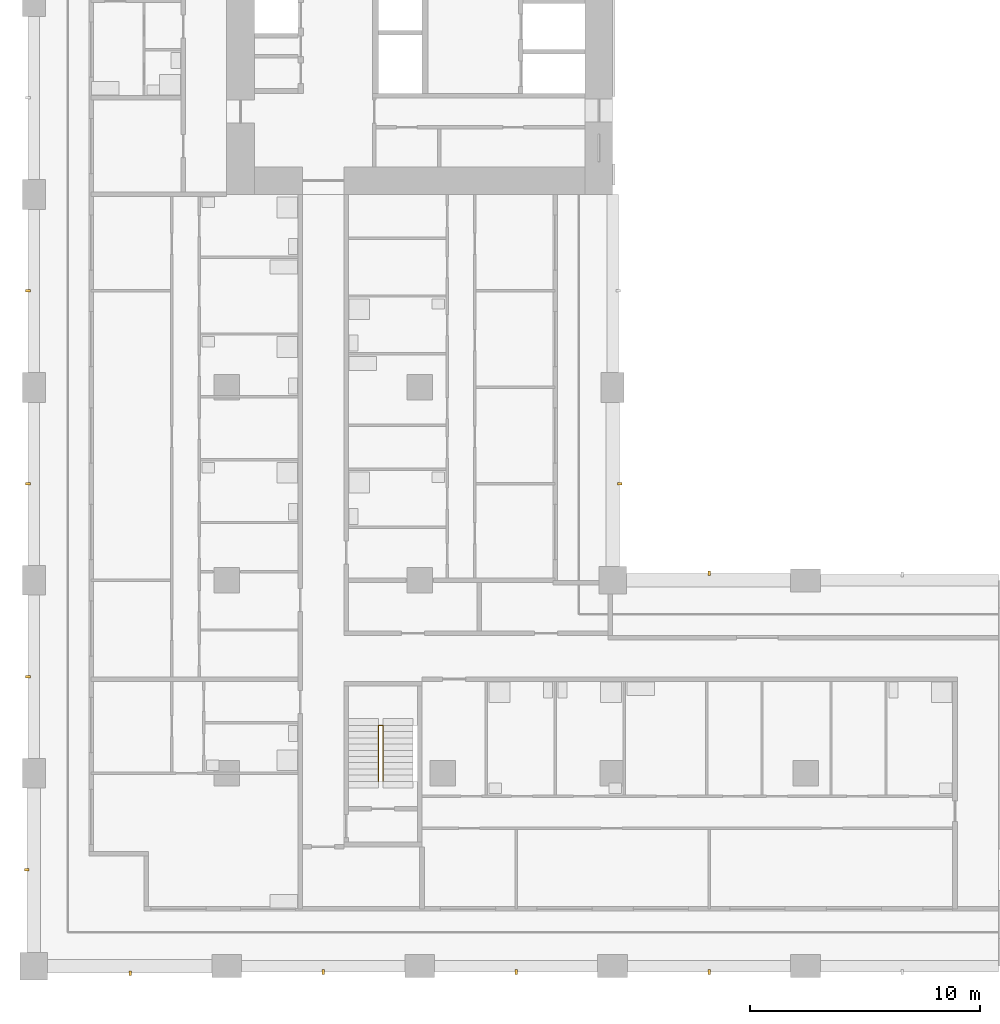
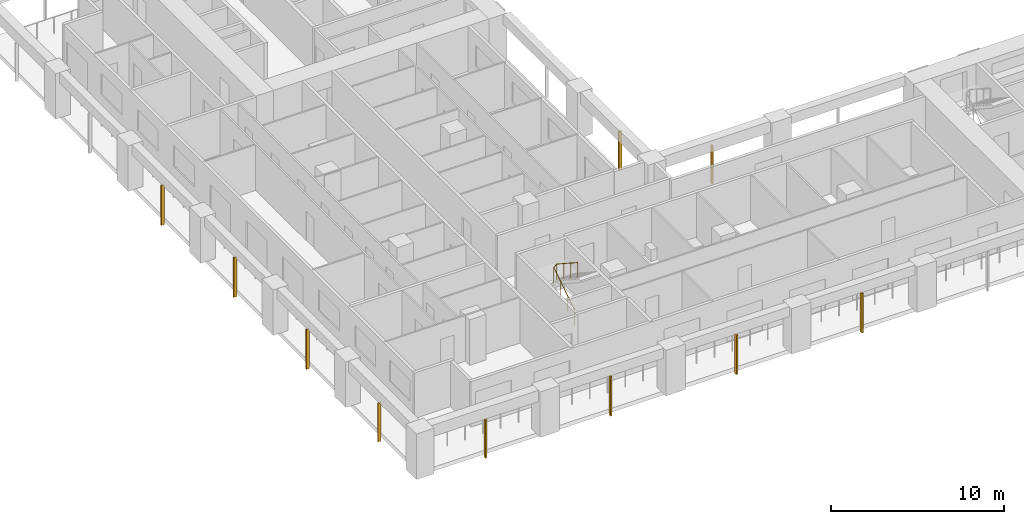
# One storey, part 9 of 16: 10 shading devices, 1 railing.
"""IFC4 building model written with IfcOpenShell, lengths in metres."""

from ifc_helpers import new_model, si_unit, direction, frame, origin, origin_2d, place, context, subcontext, project, spatial, rectangle, circle, extrude, material, material_profile, profile_set, type_object, element, save


model = new_model("IFC4")

# Units and contexts
model_context = context("Model", 3, precision=1e-05, world=origin(), true_north=direction((0.0, 1.0)))
body_context = subcontext(model_context, "Body", "Model", "MODEL_VIEW")
ifc_project = project(units=[si_unit("LENGTHUNIT", "METRE"), si_unit("AREAUNIT", "SQUARE_METRE"), si_unit("VOLUMEUNIT", "CUBIC_METRE"), si_unit("PLANEANGLEUNIT", "RADIAN"), si_unit("MASSUNIT", "GRAM", prefix="KILO")], contexts=[model_context])

# Site, building, storey
site_placement = place(None, origin())
site = spatial("IfcSite", under=ifc_project, at=site_placement, CompositionType="ELEMENT")
building_placement = place(site_placement, origin())
building = spatial("IfcBuilding", under=site, at=building_placement, Name="Vermilion Gate Residences", CompositionType="ELEMENT")
storey_placement = place(building_placement, frame((0.0, 0.0, 126.699951171875)))
storey = spatial("IfcBuildingStorey", under=building, at=storey_placement, Name="L32", CompositionType="ELEMENT", Elevation=126.699951171875)

# Railing
ifc_material_1 = material(Name="Steel S355", Category="steel")
railing_type = type_object("IfcRailingType", Name="STAIR GUARD 1100 STEEL", PredefinedType="GUARDRAIL", material=ifc_material_1)
railing_placement = place(storey_placement, frame((15.0, 16.449951171875, 0.175048828125)))
element("IfcRailing", 1, at=railing_placement, inside=storey, type_object=railing_type, Name="Stair well guard STC1-32", PredefinedType="GUARDRAIL", context=body_context, shape_type="SweptSolid", body=[
    extrude(circle(Radius=0.02392578125, at=origin_2d()), frame((0.0, 0.0, 1.076171875), z_axis=(0.0, 0.839153699163, 0.543894354798), x_axis=(-1.0, 0.0, 0.0)), (0.0, 0.0, 1.0), 2.895751953125),
    extrude(circle(Radius=0.02392578125, at=origin_2d()), frame((0.0, 2.429931640625, 2.65087890625), z_axis=(0.752405939678, 0.0, 0.658699705433), x_axis=(0.0, 1.0, 0.0)), (0.0, 0.0, 1.0), 0.265869140625),
    extrude(circle(Radius=0.02392578125, at=origin_2d()), frame((0.199951171875, 2.429931640625, 2.826171875), z_axis=(0.0, -0.839153699163, 0.543894354798), x_axis=(1.0, 0.0, 0.0)), (0.0, 0.0, 1.0), 2.895751953125),
    extrude(circle(Radius=0.02099609375, at=origin_2d()), origin(), (0.0, 0.0, 1.0), 1.052001953125),
    extrude(circle(Radius=0.02099609375, at=origin_2d()), frame((0.0, 0.81005859375, 0.52490234375)), (0.0, 0.0, 1.0), 1.052001953125),
    extrude(circle(Radius=0.02099609375, at=origin_2d()), frame((0.0, 1.619873046875, 1.050048828125)), (0.0, 0.0, 1.0), 1.052001953125),
    extrude(circle(Radius=0.02099609375, at=origin_2d()), frame((0.0, 2.429931640625, 1.574951171875)), (0.0, 0.0, 1.0), 1.052001953125),
    extrude(circle(Radius=0.02099609375, at=origin_2d()), frame((0.199951171875, 2.429931640625, 1.75)), (0.0, 0.0, 1.0), 1.052001953125),
    extrude(circle(Radius=0.02099609375, at=origin_2d()), frame((0.199951171875, 1.619873046875, 2.27490234375)), (0.0, 0.0, 1.0), 1.052001953125),
    extrude(circle(Radius=0.02099609375, at=origin_2d()), frame((0.199951171875, 0.81005859375, 2.800048828125)), (0.0, 0.0, 1.0), 1.052001953125),
    extrude(circle(Radius=0.02099609375, at=origin_2d()), frame((0.199951171875, 0.0, 3.324951171875)), (0.0, 0.0, 1.0), 1.052001953125),
])

# Shading devices
ifc_material_2 = material(Name="Extruded terracotta", Category="masonry")
ifc_material_profile = material_profile(ifc_material_2, rectangle(XDim=0.199951171875, YDim=0.10009765625, at=origin_2d()), Name="BAGUETTE 100 X 200")
ifc_profile_set = profile_set([ifc_material_profile], Name="Extruded terracotta")
shading_device_type = type_object("IfcShadingDeviceType", Name="TERRACOTTA BAGUETTE 100 X 200", PredefinedType="JALOUSIE", material=ifc_profile_set)
shading_device_placement = place(storey_placement, frame((4.199951171875, 8.10009765625, -0.280029296875), z_axis=(0.0, 0.0, 1.0), x_axis=(0.0, 1.0, 0.0)))
element("IfcShadingDevice", 2, at=shading_device_placement, inside=storey, type_object=shading_device_type, Name="BAGUETTE", PredefinedType="JALOUSIE", context=body_context, shape_type="SweptSolid", body=[
    extrude(rectangle(XDim=0.199951171875, YDim=0.10009765625, at=origin_2d()), origin(), (0.0, 0.0, 1.0), 2.7001953125),
])
for number, where, z_axis, x_axis, name in (
    (3, (12.60009765625, 8.14990234375, -0.280029296875), (0.0, 0.0, 1.0), (0.0, 1.0, 0.0), "BAGUETTE"),
    (4, (21.0, 8.14990234375, -0.280029296875), (0.0, 0.0, 1.0), (0.0, 1.0, 0.0), "BAGUETTE"),
    (5, (29.39990234375, 8.14990234375, -0.280029296875), (0.0, 0.0, 1.0), (0.0, 1.0, 0.0), "BAGUETTE"),
):
    element("IfcShadingDevice", number, at=place(storey_placement, frame(where, z_axis=z_axis, x_axis=x_axis)), inside=storey, type_object=shading_device_type, Name=name, PredefinedType="JALOUSIE", context=body_context, shape_type="SweptSolid", body=[
        extrude(rectangle(XDim=0.199951171875, YDim=0.10009765625, at=origin_2d()), origin(), (0.0, 0.0, 1.0), 2.800048828125),
    ])
for number, where, z_axis, x_axis, name in (
    (6, (29.39990234375, 25.5, -0.280029296875), (0.0, 0.0, 1.0), (0.0, -1.0, 0.0), "BAGUETTE"),
    (7, (25.5, 29.39990234375, -0.280029296875), (0.0, 0.0, 1.0), (-1.0, 0.0, 0.0), "BAGUETTE"),
    (8, (-0.300048828125, 12.60009765625, -0.280029296875), (0.0, 0.0, 1.0), (1.0, 0.0, 0.0), "BAGUETTE"),
):
    element("IfcShadingDevice", number, at=place(storey_placement, frame(where, z_axis=z_axis, x_axis=x_axis)), inside=storey, type_object=shading_device_type, Name=name, PredefinedType="JALOUSIE", context=body_context, shape_type="SweptSolid", body=[
        extrude(rectangle(XDim=0.199951171875, YDim=0.10009765625, at=origin_2d()), origin(), (0.0, 0.0, 1.0), 2.7001953125),
    ])
for number, where, z_axis, x_axis, name in (
    (9, (-0.25, 21.0, -0.280029296875), (0.0, 0.0, 1.0), (1.0, 0.0, 0.0), "BAGUETTE"),
    (10, (-0.25, 29.39990234375, -0.280029296875), (0.0, 0.0, 1.0), (1.0, 0.0, 0.0), "BAGUETTE"),
    (11, (-0.25, 37.800048828125, -0.280029296875), (0.0, 0.0, 1.0), (1.0, 0.0, 0.0), "BAGUETTE"),
):
    element("IfcShadingDevice", number, at=place(storey_placement, frame(where, z_axis=z_axis, x_axis=x_axis)), inside=storey, type_object=shading_device_type, Name=name, PredefinedType="JALOUSIE", context=body_context, shape_type="SweptSolid", body=[
        extrude(rectangle(XDim=0.199951171875, YDim=0.10009765625, at=origin_2d()), origin(), (0.0, 0.0, 1.0), 2.800048828125),
    ])

save(model, "model.ifc")
